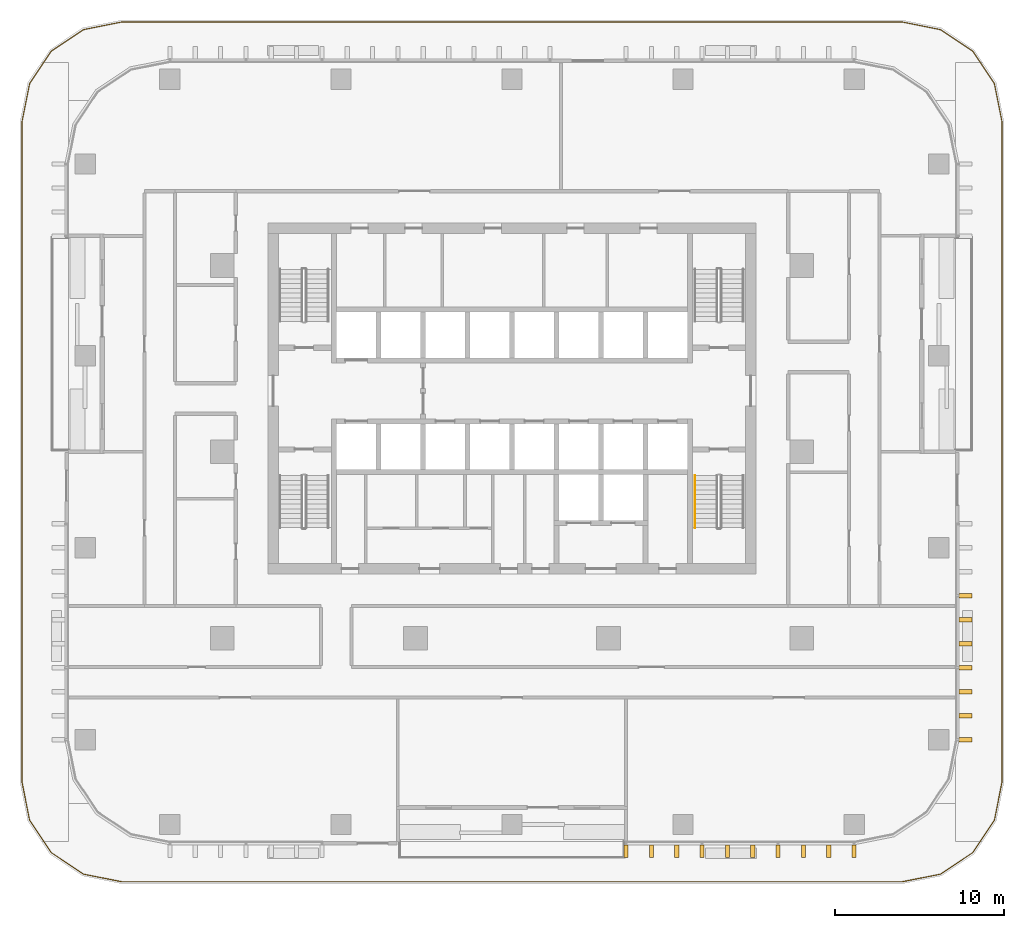
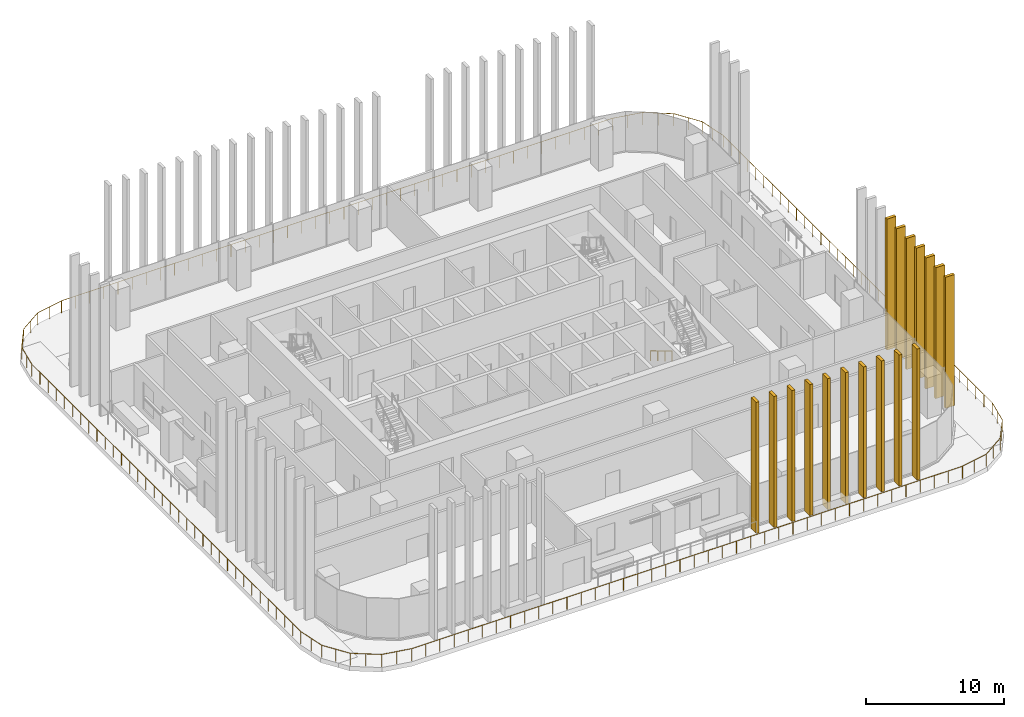
# One storey, part 14 of 16: 17 shading devices, 2 railings.
"""IFC4 building model written with IfcOpenShell, lengths in metres."""

import ifcopenshell
import ifcopenshell.guid

model = None  # the IFC model being written
_history = None  # IfcOwnerHistory: only IFC2X3 demands one
_inside = {}  # id of a spatial element -> (the spatial element, [elements in it])
_under = {}  # id of a project, library or spatial element -> (it, [spatial elements below it])
_declared = {}  # id of a project -> (the project, [libraries it declares])
_typed = {}  # id of a type object -> (the type object, [elements of that type])
_made_of = {}  # id of a material, layer set ... -> (it, [elements and type objects made of it])


def new_model(schema):
    """Start an empty IFC model of exactly this schema.

    Asked for "IFC4X3", IfcOpenShell would pick the latest addendum, in which some entities
    have other attributes; the version numbers below select the first issue.
    IFC2X3 requires an IfcOwnerHistory on every rooted entity: one is made here for all.
    """
    global model, _history
    if schema == "IFC4X3":
        model = ifcopenshell.file(schema_version=(4, 3, 0, 0))
    else:
        model = ifcopenshell.file(schema=schema)
    _inside.clear()
    _under.clear()
    _declared.clear()
    _typed.clear()
    _made_of.clear()
    _history = None
    if model.schema == "IFC2X3":
        org = make("IfcOrganization", Name="unknown")
        user = make(
            "IfcPersonAndOrganization",
            ThePerson=make("IfcPerson", FamilyName="unknown"),
            TheOrganization=org,
        )
        app = make(
            "IfcApplication",
            ApplicationDeveloper=org,
            Version="unknown",
            ApplicationFullName="unknown",
            ApplicationIdentifier="unknown",
        )
        _history = make(
            "IfcOwnerHistory",
            OwningUser=user,
            OwningApplication=app,
            ChangeAction="ADDED",
            CreationDate=0,
        )
    return model


def make(cls, **values):
    """One entity of the class cls with the attributes given. An attribute that is None is left unset."""
    return model.create_entity(
        cls, **{name: value for name, value in values.items() if value is not None}
    )


def rooted(cls, **values):
    """An entity with a GlobalId (a new one), such as an element, a storey or a relation."""
    return make(cls, GlobalId=ifcopenshell.guid.new(), OwnerHistory=_history, **values)


def si_unit(unit_type, name, prefix=None):
    """IfcSIUnit, for example si_unit("LENGTHUNIT", "METRE", prefix="MILLI")."""
    return make("IfcSIUnit", UnitType=unit_type, Prefix=prefix, Name=name)


def assignment(units):
    """IfcUnitAssignment: the units of a project."""
    return None if units is None else make("IfcUnitAssignment", Units=units)


def point(xyz):
    """IfcCartesianPoint."""
    return None if xyz is None else make("IfcCartesianPoint", Coordinates=xyz)


def direction(xyz):
    """IfcDirection."""
    return None if xyz is None else make("IfcDirection", DirectionRatios=xyz)


def frame(location, z_axis=None, x_axis=None):
    """IfcAxis2Placement3D, a coordinate frame: its origin and axes. An axis left out is left unset."""
    return make(
        "IfcAxis2Placement3D",
        Location=point(location),
        Axis=direction(z_axis),
        RefDirection=direction(x_axis),
    )


def frame_2d(location, x_axis=None):
    """IfcAxis2Placement2D, a coordinate frame in the plane: its origin and x axis."""
    return make(
        "IfcAxis2Placement2D", Location=point(location), RefDirection=direction(x_axis)
    )


def origin():
    """The frame at (0, 0, 0) with its axes left unset."""
    return frame((0.0, 0.0, 0.0))


def origin_2d():
    """The frame at (0, 0) in the plane with its x axis left unset."""
    return frame_2d((0.0, 0.0))


def place(relative_to, where):
    """IfcLocalPlacement: puts the frame where relative to a parent placement (None: the world)."""
    return make(
        "IfcLocalPlacement", PlacementRelTo=relative_to, RelativePlacement=where
    )


def context(
    kind, dimensions, precision=None, world=None, true_north=None, identifier=None
):
    """IfcGeometricRepresentationContext, for example the 3D "Model" context."""
    return make(
        "IfcGeometricRepresentationContext",
        ContextIdentifier=identifier,
        ContextType=kind,
        CoordinateSpaceDimension=dimensions,
        Precision=precision,
        WorldCoordinateSystem=world,
        TrueNorth=true_north,
    )


def subcontext(parent, identifier, kind, view, scale=None):
    """IfcGeometricRepresentationSubContext, for example "Body" below "Model"."""
    return make(
        "IfcGeometricRepresentationSubContext",
        ContextIdentifier=identifier,
        ContextType=kind,
        ParentContext=parent,
        TargetScale=scale,
        TargetView=view,
    )


def project(units=None, contexts=None):
    """IfcProject with its units and contexts."""
    return rooted(
        "IfcProject",
        Name="project",
        RepresentationContexts=contexts,
        UnitsInContext=assignment(units),
    )


def spatial(cls, under=None, at=None, **own):
    """A site, building, storey or space (cls), placed at a placement, below another one or the project."""
    s = rooted(cls, ObjectPlacement=at, **own)
    if under is not None:
        _under.setdefault(under.id(), (under, []))[1].append(s)
    return s


def profile(cls, at=None, kind="AREA", **sizes):
    """A parametric profile (cls). Its sizes go by their IFC names, for example OverallWidth=200.0."""
    return make(cls, ProfileType=kind, Position=at, **sizes)


def rectangle(**sizes):
    """IfcRectangleProfileDef."""
    return profile("IfcRectangleProfileDef", **sizes)


def circle(**sizes):
    """IfcCircleProfileDef."""
    return profile("IfcCircleProfileDef", **sizes)


def extrude(swept, where, along, depth):
    """IfcExtrudedAreaSolid: the profile swept, set in the frame where, extruded along a direction by depth."""
    return make(
        "IfcExtrudedAreaSolid",
        SweptArea=swept,
        Position=where,
        ExtrudedDirection=direction(along),
        Depth=depth,
    )


def shape(context_of_items, identifier, shape_type, items):
    """IfcShapeRepresentation: the items that make up one representation, for example the "Body"."""
    return make(
        "IfcShapeRepresentation",
        ContextOfItems=context_of_items,
        RepresentationIdentifier=identifier,
        RepresentationType=shape_type,
        Items=items,
    )


def material(Name=None, Category=None):
    """IfcMaterial."""
    return make("IfcMaterial", Name=Name, Category=Category)


def made_of(thing, what):
    """Note that an element or type object is made of a material, layer set ...; save() writes the relation."""
    if what is not None:
        _made_of.setdefault(what.id(), (what, []))[1].append(thing)
    return thing


def type_object(cls, material=None, **own):
    """A type object (cls), such as IfcWallType, which elements share."""
    return made_of(rooted(cls, **own), material)


def element(
    cls,
    number,
    at=None,
    inside=None,
    cuts=None,
    type_object=None,
    material=None,
    context=None,
    identifier="Body",
    shape_type=None,
    held_by="IfcProductDefinitionShape",
    body=None,
    shapes=None,
    **own,
):
    """One element of the class cls, such as IfcWall. Its Tag is "e" and its number.

    at: its placement. inside: the storey or other place that contains it. cuts: it is an
    opening in that element (IfcRelVoidsElement). A single representation is given by context,
    identifier, shape_type and body (its items); several are given by shapes. held_by: the class
    of the entity that holds the representations. save() writes the other relations.
    """
    e = rooted(cls, Tag="e%d" % number, ObjectPlacement=at, **own)
    if body is not None:
        shapes = [shape(context, identifier, shape_type, body)]
    if shapes is not None:
        e.Representation = make(held_by, Representations=shapes)
    if inside is not None:
        _inside.setdefault(inside.id(), (inside, []))[1].append(e)
    if cuts is not None:
        rooted(
            "IfcRelVoidsElement", RelatingBuildingElement=cuts, RelatedOpeningElement=e
        )
    if type_object is not None:
        _typed.setdefault(type_object.id(), (type_object, []))[1].append(e)
    return made_of(e, material)


def aggregate(whole, parts):
    """IfcRelAggregates: a whole, such as a stair, and the parts it consists of."""
    return rooted("IfcRelAggregates", RelatingObject=whole, RelatedObjects=parts)


def save(model, path):
    """Write the relations noted so far, then the file.

    IfcRelAggregates (storeys below a building ...), IfcRelContainedInSpatialStructure (elements
    in a storey), IfcRelDefinesByType, IfcRelAssociatesMaterial and IfcRelDeclares: one each for
    every whole, place, type object, material and project.
    """
    for whole, parts in _under.values():
        aggregate(whole, parts)
    for where, things in _inside.values():
        rooted(
            "IfcRelContainedInSpatialStructure",
            RelatedElements=things,
            RelatingStructure=where,
        )
    for kind, things in _typed.values():
        rooted("IfcRelDefinesByType", RelatedObjects=things, RelatingType=kind)
    for what, things in _made_of.values():
        rooted("IfcRelAssociatesMaterial", RelatedObjects=things, RelatingMaterial=what)
    for by, libraries in _declared.values():
        rooted("IfcRelDeclares", RelatingContext=by, RelatedDefinitions=libraries)
    model.write(path)


model = new_model("IFC4")

# Units and contexts
model_context = context("Model", 3, precision=1e-05, world=origin(), true_north=direction((0.0, 1.0)))
body_context = subcontext(model_context, "Body", "Model", "MODEL_VIEW")
ifc_project = project(units=[si_unit("LENGTHUNIT", "METRE"), si_unit("AREAUNIT", "SQUARE_METRE"), si_unit("VOLUMEUNIT", "CUBIC_METRE"), si_unit("PLANEANGLEUNIT", "RADIAN"), si_unit("MASSUNIT", "GRAM", prefix="KILO")], contexts=[model_context])

# Site, building, storey
site_placement = place(None, origin())
site = spatial("IfcSite", under=ifc_project, at=site_placement, CompositionType="ELEMENT")
building_placement = place(site_placement, origin())
building = spatial("IfcBuilding", under=site, at=building_placement, Name="Mopane Tessera Tower", CompositionType="ELEMENT")
storey_placement = place(building_placement, frame((0.0, 0.0, 157.0)))
storey = spatial("IfcBuildingStorey", under=building, at=storey_placement, Name="L31", CompositionType="ELEMENT", Elevation=157.0)

# Shading devices
ifc_material_1 = material(Name="Glazed ceramic tile")
shading_device_type = type_object("IfcShadingDeviceType", Name="Ceramic tile fin 750 x 250 mm", PredefinedType="USERDEFINED", material=ifc_material_1)
for number, where, z_axis, x_axis, name in (
    (1, (6.7333984375, -23.574951171875, 0.0), (0.0, 0.0, 1.0), (1.0, 0.0, 0.0), "e:fin:L31:S:6:0"),
    (2, (8.229736328125, -23.574951171875, 0.0), (0.0, 0.0, 1.0), (1.0, 0.0, 0.0), "e:fin:L31:S:6:1"),
    (3, (9.725830078125, -23.574951171875, 0.0), (0.0, 0.0, 1.0), (1.0, 0.0, 0.0), "e:fin:L31:S:6:2"),
    (4, (11.22216796875, -23.574951171875, 0.0), (0.0, 0.0, 1.0), (1.0, 0.0, 0.0), "e:fin:L31:S:7:0"),
    (5, (12.718505859375, -23.574951171875, 0.0), (0.0, 0.0, 1.0), (1.0, 0.0, 0.0), "e:fin:L31:S:7:1"),
    (6, (14.21484375, -23.574951171875, 0.0), (0.0, 0.0, 1.0), (1.0, 0.0, 0.0), "e:fin:L31:S:7:2"),
    (7, (15.711181640625, -23.574951171875, 0.0), (0.0, 0.0, 1.0), (1.0, 0.0, 0.0), "e:fin:L31:S:8:0"),
    (8, (17.20751953125, -23.574951171875, 0.0), (0.0, 0.0, 1.0), (1.0, 0.0, 0.0), "e:fin:L31:S:8:1"),
    (9, (18.70361328125, -23.574951171875, 0.0), (0.0, 0.0, 1.0), (1.0, 0.0, 0.0), "e:fin:L31:S:8:2"),
    (10, (20.199951171875, -23.574951171875, 0.0), (0.0, 0.0, 1.0), (1.0, 0.0, 0.0), "e:fin:L31:S:8:3"),
    (11, (26.77490234375, -17.0, 0.0), (0.0, 0.0, 1.0), (0.0, 1.0, 0.0), "e:fin:L31:E:0:0"),
    (12, (26.77490234375, -15.583251953125, 0.0), (0.0, 0.0, 1.0), (0.0, 1.0, 0.0), "e:fin:L31:E:0:1"),
    (13, (26.77490234375, -14.166748046875, 0.0), (0.0, 0.0, 1.0), (0.0, 1.0, 0.0), "e:fin:L31:E:0:2"),
    (14, (26.77490234375, -12.75, 0.0), (0.0, 0.0, 1.0), (0.0, 1.0, 0.0), "e:fin:L31:E:1:0"),
    (15, (26.77490234375, -11.333251953125, 0.0), (0.0, 0.0, 1.0), (0.0, 1.0, 0.0), "e:fin:L31:E:1:1"),
    (16, (26.77490234375, -9.916748046875, 0.0), (0.0, 0.0, 1.0), (0.0, 1.0, 0.0), "e:fin:L31:E:1:2"),
    (17, (26.77490234375, -8.5, 0.0), (0.0, 0.0, 1.0), (0.0, 1.0, 0.0), "e:fin:L31:E:2:0"),
):
    element("IfcShadingDevice", number, at=place(storey_placement, frame(where, z_axis=z_axis, x_axis=x_axis)), inside=storey, type_object=shading_device_type, Name=name, ObjectType="FIN", PredefinedType="USERDEFINED", context=body_context, shape_type="SweptSolid", body=[
        extrude(rectangle(XDim=0.25, YDim=0.75, at=origin_2d()), origin(), (0.0, 0.0, 1.0), 11.60009765625),
    ])

# Railings
ifc_material_2 = material(Name="Powder-coated steel balustrade", Category="steel")
railing_type_1 = type_object("IfcRailingType", Name="Escape stair handrail 900 mm", PredefinedType="HANDRAIL", material=ifc_material_2)
railing_1_placement = place(storey_placement, frame((10.800048828125, -1.39990234375, 0.166748046875)))
element("IfcRailing", 18, at=railing_1_placement, inside=storey, type_object=railing_type_1, Name="L31 ST3 stair handrail 1", PredefinedType="HANDRAIL", context=body_context, shape_type="SweptSolid", body=[
    extrude(circle(Radius=0.02392578125, at=origin_2d()), frame((0.0, 0.0, 0.8759765625), z_axis=(0.0, -0.859308565015, 0.511457515432), x_axis=(1.0, 0.0, 0.0)), (0.0, 0.0, 1.0), 3.58447265625),
    extrude(circle(Radius=0.02099609375, at=origin_2d()), origin(), (0.0, 0.0, 1.0), 0.851806640625),
    extrude(circle(Radius=0.02099609375, at=origin_2d()), frame((0.0, -1.026611328125, 0.611083984375)), (0.0, 0.0, 1.0), 0.851806640625),
    extrude(circle(Radius=0.02099609375, at=origin_2d()), frame((0.0, -2.053466796875, 1.22216796875)), (0.0, 0.0, 1.0), 0.851806640625),
    extrude(circle(Radius=0.02099609375, at=origin_2d()), frame((0.0, -3.080078125, 1.833251953125)), (0.0, 0.0, 1.0), 0.851806640625),
])
ifc_material_3 = material(Name="Stainless steel S316", Category="steel")
railing_type_2 = type_object("IfcRailingType", Name="Terrace guard 1100", PredefinedType="GUARDRAIL", material=ifc_material_3)
railing_2_placement = place(storey_placement, frame((-23.050048828125, -25.3798828125, 0.0)))
element("IfcRailing", 19, at=railing_2_placement, inside=storey, type_object=railing_type_2, Name="e:sg:L31", PredefinedType="GUARDRAIL", context=body_context, shape_type="SweptSolid", body=[
    extrude(circle(Radius=0.02392578125, at=origin_2d()), frame((0.0, 0.0, 1.076171875), z_axis=(1.0, 0.0, 0.0), x_axis=(0.0, 1.0, 0.0)), (0.0, 0.0, 1.0), 46.10009765625),
    extrude(circle(Radius=0.02392578125, at=origin_2d()), frame((46.10009765625, 0.0, 1.076171875), z_axis=(0.980792920903, 0.195051906696, 0.0), x_axis=(-0.195051906696, 0.980792920903, 0.0)), (0.0, 0.0, 1.0), 2.294189453125),
    extrude(circle(Radius=0.02392578125, at=origin_2d()), frame((48.350341796875, 0.447509765625, 1.076171875), z_axis=(0.831444034045, 0.555608511679, 0.0), x_axis=(-0.555608511679, 0.831444034045, 0.0)), (0.0, 0.0, 1.0), 2.294189453125),
    extrude(circle(Radius=0.02392578125, at=origin_2d()), frame((50.2578125, 1.72216796875, 1.076171875), z_axis=(0.555608511679, 0.831444034045, 0.0), x_axis=(-0.831444034045, 0.555608511679, 0.0)), (0.0, 0.0, 1.0), 2.294189453125),
    extrude(circle(Radius=0.02392578125, at=origin_2d()), frame((51.532470703125, 3.629638671875, 1.076171875), z_axis=(0.195051906696, 0.980792920903, 0.0), x_axis=(-0.980792920903, 0.195051906696, 0.0)), (0.0, 0.0, 1.0), 2.294189453125),
    extrude(circle(Radius=0.02392578125, at=origin_2d()), frame((51.97998046875, 5.8798828125, 1.076171875), z_axis=(0.0, 1.0, 0.0), x_axis=(-1.0, 0.0, 0.0)), (0.0, 0.0, 1.0), 39.0),
    extrude(circle(Radius=0.02392578125, at=origin_2d()), frame((51.97998046875, 44.8798828125, 1.076171875), z_axis=(-0.195051906696, 0.980792920903, 0.0), x_axis=(-0.980792920903, -0.195051906696, 0.0)), (0.0, 0.0, 1.0), 2.294189453125),
    extrude(circle(Radius=0.02392578125, at=origin_2d()), frame((51.532470703125, 47.130126953125, 1.076171875), z_axis=(-0.555608511679, 0.831444034045, 0.0), x_axis=(-0.831444034045, -0.555608511679, 0.0)), (0.0, 0.0, 1.0), 2.294189453125),
    extrude(circle(Radius=0.02392578125, at=origin_2d()), frame((50.2578125, 49.03759765625, 1.076171875), z_axis=(-0.831444034045, 0.555608511679, 0.0), x_axis=(-0.555608511679, -0.831444034045, 0.0)), (0.0, 0.0, 1.0), 2.294189453125),
    extrude(circle(Radius=0.02392578125, at=origin_2d()), frame((48.350341796875, 50.312255859375, 1.076171875), z_axis=(-0.980792920903, 0.195051906696, 0.0), x_axis=(-0.195051906696, -0.980792920903, 0.0)), (0.0, 0.0, 1.0), 2.294189453125),
    extrude(circle(Radius=0.02392578125, at=origin_2d()), frame((46.10009765625, 50.759765625, 1.076171875), z_axis=(-1.0, 0.0, 0.0), x_axis=(0.0, -1.0, 0.0)), (0.0, 0.0, 1.0), 46.10009765625),
    extrude(circle(Radius=0.02392578125, at=origin_2d()), frame((0.0, 50.759765625, 1.076171875), z_axis=(-0.980792920903, -0.195051906696, 0.0), x_axis=(0.195051906696, -0.980792920903, 0.0)), (0.0, 0.0, 1.0), 2.294189453125),
    extrude(circle(Radius=0.02392578125, at=origin_2d()), frame((-2.250244140625, 50.312255859375, 1.076171875), z_axis=(-0.831444034045, -0.555608511679, 0.0), x_axis=(0.555608511679, -0.831444034045, 0.0)), (0.0, 0.0, 1.0), 2.294189453125),
    extrude(circle(Radius=0.02392578125, at=origin_2d()), frame((-4.15771484375, 49.03759765625, 1.076171875), z_axis=(-0.555608511679, -0.831444034045, 0.0), x_axis=(0.831444034045, -0.555608511679, 0.0)), (0.0, 0.0, 1.0), 2.294189453125),
    extrude(circle(Radius=0.02392578125, at=origin_2d()), frame((-5.432373046875, 47.130126953125, 1.076171875), z_axis=(-0.195051906696, -0.980792920903, 0.0), x_axis=(0.980792920903, -0.195051906696, 0.0)), (0.0, 0.0, 1.0), 2.294189453125),
    extrude(circle(Radius=0.02392578125, at=origin_2d()), frame((-5.8798828125, 44.8798828125, 1.076171875), z_axis=(0.0, -1.0, 0.0), x_axis=(1.0, 0.0, 0.0)), (0.0, 0.0, 1.0), 39.0),
    extrude(circle(Radius=0.02392578125, at=origin_2d()), frame((-5.8798828125, 5.8798828125, 1.076171875), z_axis=(0.195051906696, -0.980792920903, 0.0), x_axis=(0.980792920903, 0.195051906696, 0.0)), (0.0, 0.0, 1.0), 2.294189453125),
    extrude(circle(Radius=0.02392578125, at=origin_2d()), frame((-5.432373046875, 3.629638671875, 1.076171875), z_axis=(0.555608511679, -0.831444034045, 0.0), x_axis=(0.831444034045, 0.555608511679, 0.0)), (0.0, 0.0, 1.0), 2.294189453125),
    extrude(circle(Radius=0.02392578125, at=origin_2d()), frame((-4.15771484375, 1.72216796875, 1.076171875), z_axis=(0.831444034045, -0.555608511679, 0.0), x_axis=(0.555608511679, 0.831444034045, 0.0)), (0.0, 0.0, 1.0), 2.294189453125),
    extrude(circle(Radius=0.02392578125, at=origin_2d()), frame((-2.250244140625, 0.447509765625, 1.076171875), z_axis=(0.980792920903, -0.195051906696, 0.0), x_axis=(0.195051906696, 0.980792920903, 0.0)), (0.0, 0.0, 1.0), 2.294189453125),
    extrude(circle(Radius=0.02099609375, at=origin_2d()), origin(), (0.0, 0.0, 1.0), 1.052001953125),
    extrude(circle(Radius=0.02099609375, at=origin_2d()), frame((1.18212890625, 0.0, 0.0)), (0.0, 0.0, 1.0), 1.052001953125),
    extrude(circle(Radius=0.02099609375, at=origin_2d()), frame((2.364013671875, 0.0, 0.0)), (0.0, 0.0, 1.0), 1.052001953125),
    extrude(circle(Radius=0.02099609375, at=origin_2d()), frame((3.546142578125, 0.0, 0.0)), (0.0, 0.0, 1.0), 1.052001953125),
    extrude(circle(Radius=0.02099609375, at=origin_2d()), frame((4.728271484375, 0.0, 0.0)), (0.0, 0.0, 1.0), 1.052001953125),
    extrude(circle(Radius=0.02099609375, at=origin_2d()), frame((5.91015625, 0.0, 0.0)), (0.0, 0.0, 1.0), 1.052001953125),
    extrude(circle(Radius=0.02099609375, at=origin_2d()), frame((7.09228515625, 0.0, 0.0)), (0.0, 0.0, 1.0), 1.052001953125),
    extrude(circle(Radius=0.02099609375, at=origin_2d()), frame((8.2744140625, 0.0, 0.0)), (0.0, 0.0, 1.0), 1.052001953125),
    extrude(circle(Radius=0.02099609375, at=origin_2d()), frame((9.45654296875, 0.0, 0.0)), (0.0, 0.0, 1.0), 1.052001953125),
    extrude(circle(Radius=0.02099609375, at=origin_2d()), frame((10.638427734375, 0.0, 0.0)), (0.0, 0.0, 1.0), 1.052001953125),
    extrude(circle(Radius=0.02099609375, at=origin_2d()), frame((11.820556640625, 0.0, 0.0)), (0.0, 0.0, 1.0), 1.052001953125),
    extrude(circle(Radius=0.02099609375, at=origin_2d()), frame((13.002685546875, 0.0, 0.0)), (0.0, 0.0, 1.0), 1.052001953125),
    extrude(circle(Radius=0.02099609375, at=origin_2d()), frame((14.1845703125, 0.0, 0.0)), (0.0, 0.0, 1.0), 1.052001953125),
    extrude(circle(Radius=0.02099609375, at=origin_2d()), frame((15.36669921875, 0.0, 0.0)), (0.0, 0.0, 1.0), 1.052001953125),
    extrude(circle(Radius=0.02099609375, at=origin_2d()), frame((16.548828125, 0.0, 0.0)), (0.0, 0.0, 1.0), 1.052001953125),
    extrude(circle(Radius=0.02099609375, at=origin_2d()), frame((17.730712890625, 0.0, 0.0)), (0.0, 0.0, 1.0), 1.052001953125),
    extrude(circle(Radius=0.02099609375, at=origin_2d()), frame((18.912841796875, 0.0, 0.0)), (0.0, 0.0, 1.0), 1.052001953125),
    extrude(circle(Radius=0.02099609375, at=origin_2d()), frame((20.094970703125, 0.0, 0.0)), (0.0, 0.0, 1.0), 1.052001953125),
    extrude(circle(Radius=0.02099609375, at=origin_2d()), frame((21.27685546875, 0.0, 0.0)), (0.0, 0.0, 1.0), 1.052001953125),
    extrude(circle(Radius=0.02099609375, at=origin_2d()), frame((22.458984375, 0.0, 0.0)), (0.0, 0.0, 1.0), 1.052001953125),
    extrude(circle(Radius=0.02099609375, at=origin_2d()), frame((23.64111328125, 0.0, 0.0)), (0.0, 0.0, 1.0), 1.052001953125),
    extrude(circle(Radius=0.02099609375, at=origin_2d()), frame((24.8232421875, 0.0, 0.0)), (0.0, 0.0, 1.0), 1.052001953125),
    extrude(circle(Radius=0.02099609375, at=origin_2d()), frame((26.005126953125, 0.0, 0.0)), (0.0, 0.0, 1.0), 1.052001953125),
    extrude(circle(Radius=0.02099609375, at=origin_2d()), frame((27.187255859375, 0.0, 0.0)), (0.0, 0.0, 1.0), 1.052001953125),
    extrude(circle(Radius=0.02099609375, at=origin_2d()), frame((28.369384765625, 0.0, 0.0)), (0.0, 0.0, 1.0), 1.052001953125),
    extrude(circle(Radius=0.02099609375, at=origin_2d()), frame((29.55126953125, 0.0, 0.0)), (0.0, 0.0, 1.0), 1.052001953125),
    extrude(circle(Radius=0.02099609375, at=origin_2d()), frame((30.7333984375, 0.0, 0.0)), (0.0, 0.0, 1.0), 1.052001953125),
    extrude(circle(Radius=0.02099609375, at=origin_2d()), frame((31.91552734375, 0.0, 0.0)), (0.0, 0.0, 1.0), 1.052001953125),
    extrude(circle(Radius=0.02099609375, at=origin_2d()), frame((33.097412109375, 0.0, 0.0)), (0.0, 0.0, 1.0), 1.052001953125),
    extrude(circle(Radius=0.02099609375, at=origin_2d()), frame((34.279541015625, 0.0, 0.0)), (0.0, 0.0, 1.0), 1.052001953125),
    extrude(circle(Radius=0.02099609375, at=origin_2d()), frame((35.461669921875, 0.0, 0.0)), (0.0, 0.0, 1.0), 1.052001953125),
    extrude(circle(Radius=0.02099609375, at=origin_2d()), frame((36.6435546875, 0.0, 0.0)), (0.0, 0.0, 1.0), 1.052001953125),
    extrude(circle(Radius=0.02099609375, at=origin_2d()), frame((37.82568359375, 0.0, 0.0)), (0.0, 0.0, 1.0), 1.052001953125),
    extrude(circle(Radius=0.02099609375, at=origin_2d()), frame((39.0078125, 0.0, 0.0)), (0.0, 0.0, 1.0), 1.052001953125),
    extrude(circle(Radius=0.02099609375, at=origin_2d()), frame((40.18994140625, 0.0, 0.0)), (0.0, 0.0, 1.0), 1.052001953125),
    extrude(circle(Radius=0.02099609375, at=origin_2d()), frame((41.371826171875, 0.0, 0.0)), (0.0, 0.0, 1.0), 1.052001953125),
    extrude(circle(Radius=0.02099609375, at=origin_2d()), frame((42.553955078125, 0.0, 0.0)), (0.0, 0.0, 1.0), 1.052001953125),
    extrude(circle(Radius=0.02099609375, at=origin_2d()), frame((43.736083984375, 0.0, 0.0)), (0.0, 0.0, 1.0), 1.052001953125),
    extrude(circle(Radius=0.02099609375, at=origin_2d()), frame((44.91796875, 0.0, 0.0)), (0.0, 0.0, 1.0), 1.052001953125),
    extrude(circle(Radius=0.02099609375, at=origin_2d()), frame((46.10009765625, 0.0, 0.0)), (0.0, 0.0, 1.0), 1.052001953125),
    extrude(circle(Radius=0.02099609375, at=origin_2d()), frame((47.22509765625, 0.2236328125, 0.0)), (0.0, 0.0, 1.0), 1.052001953125),
    extrude(circle(Radius=0.02099609375, at=origin_2d()), frame((48.350341796875, 0.447509765625, 0.0)), (0.0, 0.0, 1.0), 1.052001953125),
    extrude(circle(Radius=0.02099609375, at=origin_2d()), frame((49.30419921875, 1.0849609375, 0.0)), (0.0, 0.0, 1.0), 1.052001953125),
    extrude(circle(Radius=0.02099609375, at=origin_2d()), frame((50.2578125, 1.72216796875, 0.0)), (0.0, 0.0, 1.0), 1.052001953125),
    extrude(circle(Radius=0.02099609375, at=origin_2d()), frame((50.89501953125, 2.67578125, 0.0)), (0.0, 0.0, 1.0), 1.052001953125),
    extrude(circle(Radius=0.02099609375, at=origin_2d()), frame((51.532470703125, 3.629638671875, 0.0)), (0.0, 0.0, 1.0), 1.052001953125),
    extrude(circle(Radius=0.02099609375, at=origin_2d()), frame((51.75634765625, 4.7548828125, 0.0)), (0.0, 0.0, 1.0), 1.052001953125),
    extrude(circle(Radius=0.02099609375, at=origin_2d()), frame((51.97998046875, 5.8798828125, 0.0)), (0.0, 0.0, 1.0), 1.052001953125),
    extrude(circle(Radius=0.02099609375, at=origin_2d()), frame((51.97998046875, 7.061767578125, 0.0)), (0.0, 0.0, 1.0), 1.052001953125),
    extrude(circle(Radius=0.02099609375, at=origin_2d()), frame((51.97998046875, 8.243408203125, 0.0)), (0.0, 0.0, 1.0), 1.052001953125),
    extrude(circle(Radius=0.02099609375, at=origin_2d()), frame((51.97998046875, 9.42529296875, 0.0)), (0.0, 0.0, 1.0), 1.052001953125),
    extrude(circle(Radius=0.02099609375, at=origin_2d()), frame((51.97998046875, 10.607177734375, 0.0)), (0.0, 0.0, 1.0), 1.052001953125),
    extrude(circle(Radius=0.02099609375, at=origin_2d()), frame((51.97998046875, 11.7890625, 0.0)), (0.0, 0.0, 1.0), 1.052001953125),
    extrude(circle(Radius=0.02099609375, at=origin_2d()), frame((51.97998046875, 12.970703125, 0.0)), (0.0, 0.0, 1.0), 1.052001953125),
    extrude(circle(Radius=0.02099609375, at=origin_2d()), frame((51.97998046875, 14.152587890625, 0.0)), (0.0, 0.0, 1.0), 1.052001953125),
    extrude(circle(Radius=0.02099609375, at=origin_2d()), frame((51.97998046875, 15.33447265625, 0.0)), (0.0, 0.0, 1.0), 1.052001953125),
    extrude(circle(Radius=0.02099609375, at=origin_2d()), frame((51.97998046875, 16.516357421875, 0.0)), (0.0, 0.0, 1.0), 1.052001953125),
    extrude(circle(Radius=0.02099609375, at=origin_2d()), frame((51.97998046875, 17.697998046875, 0.0)), (0.0, 0.0, 1.0), 1.052001953125),
    extrude(circle(Radius=0.02099609375, at=origin_2d()), frame((51.97998046875, 18.8798828125, 0.0)), (0.0, 0.0, 1.0), 1.052001953125),
    extrude(circle(Radius=0.02099609375, at=origin_2d()), frame((51.97998046875, 20.061767578125, 0.0)), (0.0, 0.0, 1.0), 1.052001953125),
    extrude(circle(Radius=0.02099609375, at=origin_2d()), frame((51.97998046875, 21.243408203125, 0.0)), (0.0, 0.0, 1.0), 1.052001953125),
    extrude(circle(Radius=0.02099609375, at=origin_2d()), frame((51.97998046875, 22.42529296875, 0.0)), (0.0, 0.0, 1.0), 1.052001953125),
    extrude(circle(Radius=0.02099609375, at=origin_2d()), frame((51.97998046875, 23.607177734375, 0.0)), (0.0, 0.0, 1.0), 1.052001953125),
    extrude(circle(Radius=0.02099609375, at=origin_2d()), frame((51.97998046875, 24.7890625, 0.0)), (0.0, 0.0, 1.0), 1.052001953125),
    extrude(circle(Radius=0.02099609375, at=origin_2d()), frame((51.97998046875, 25.970703125, 0.0)), (0.0, 0.0, 1.0), 1.052001953125),
    extrude(circle(Radius=0.02099609375, at=origin_2d()), frame((51.97998046875, 27.152587890625, 0.0)), (0.0, 0.0, 1.0), 1.052001953125),
    extrude(circle(Radius=0.02099609375, at=origin_2d()), frame((51.97998046875, 28.33447265625, 0.0)), (0.0, 0.0, 1.0), 1.052001953125),
    extrude(circle(Radius=0.02099609375, at=origin_2d()), frame((51.97998046875, 29.516357421875, 0.0)), (0.0, 0.0, 1.0), 1.052001953125),
    extrude(circle(Radius=0.02099609375, at=origin_2d()), frame((51.97998046875, 30.697998046875, 0.0)), (0.0, 0.0, 1.0), 1.052001953125),
    extrude(circle(Radius=0.02099609375, at=origin_2d()), frame((51.97998046875, 31.8798828125, 0.0)), (0.0, 0.0, 1.0), 1.052001953125),
    extrude(circle(Radius=0.02099609375, at=origin_2d()), frame((51.97998046875, 33.061767578125, 0.0)), (0.0, 0.0, 1.0), 1.052001953125),
    extrude(circle(Radius=0.02099609375, at=origin_2d()), frame((51.97998046875, 34.243408203125, 0.0)), (0.0, 0.0, 1.0), 1.052001953125),
    extrude(circle(Radius=0.02099609375, at=origin_2d()), frame((51.97998046875, 35.42529296875, 0.0)), (0.0, 0.0, 1.0), 1.052001953125),
    extrude(circle(Radius=0.02099609375, at=origin_2d()), frame((51.97998046875, 36.607177734375, 0.0)), (0.0, 0.0, 1.0), 1.052001953125),
    extrude(circle(Radius=0.02099609375, at=origin_2d()), frame((51.97998046875, 37.7890625, 0.0)), (0.0, 0.0, 1.0), 1.052001953125),
    extrude(circle(Radius=0.02099609375, at=origin_2d()), frame((51.97998046875, 38.970703125, 0.0)), (0.0, 0.0, 1.0), 1.052001953125),
    extrude(circle(Radius=0.02099609375, at=origin_2d()), frame((51.97998046875, 40.152587890625, 0.0)), (0.0, 0.0, 1.0), 1.052001953125),
    extrude(circle(Radius=0.02099609375, at=origin_2d()), frame((51.97998046875, 41.33447265625, 0.0)), (0.0, 0.0, 1.0), 1.052001953125),
    extrude(circle(Radius=0.02099609375, at=origin_2d()), frame((51.97998046875, 42.516357421875, 0.0)), (0.0, 0.0, 1.0), 1.052001953125),
    extrude(circle(Radius=0.02099609375, at=origin_2d()), frame((51.97998046875, 43.697998046875, 0.0)), (0.0, 0.0, 1.0), 1.052001953125),
    extrude(circle(Radius=0.02099609375, at=origin_2d()), frame((51.97998046875, 44.8798828125, 0.0)), (0.0, 0.0, 1.0), 1.052001953125),
    extrude(circle(Radius=0.02099609375, at=origin_2d()), frame((51.75634765625, 46.0048828125, 0.0)), (0.0, 0.0, 1.0), 1.052001953125),
    extrude(circle(Radius=0.02099609375, at=origin_2d()), frame((51.532470703125, 47.130126953125, 0.0)), (0.0, 0.0, 1.0), 1.052001953125),
    extrude(circle(Radius=0.02099609375, at=origin_2d()), frame((50.89501953125, 48.083984375, 0.0)), (0.0, 0.0, 1.0), 1.052001953125),
    extrude(circle(Radius=0.02099609375, at=origin_2d()), frame((50.2578125, 49.03759765625, 0.0)), (0.0, 0.0, 1.0), 1.052001953125),
    extrude(circle(Radius=0.02099609375, at=origin_2d()), frame((49.30419921875, 49.6748046875, 0.0)), (0.0, 0.0, 1.0), 1.052001953125),
    extrude(circle(Radius=0.02099609375, at=origin_2d()), frame((48.350341796875, 50.312255859375, 0.0)), (0.0, 0.0, 1.0), 1.052001953125),
    extrude(circle(Radius=0.02099609375, at=origin_2d()), frame((47.22509765625, 50.5361328125, 0.0)), (0.0, 0.0, 1.0), 1.052001953125),
    extrude(circle(Radius=0.02099609375, at=origin_2d()), frame((46.10009765625, 50.759765625, 0.0)), (0.0, 0.0, 1.0), 1.052001953125),
    extrude(circle(Radius=0.02099609375, at=origin_2d()), frame((44.91796875, 50.759765625, 0.0)), (0.0, 0.0, 1.0), 1.052001953125),
    extrude(circle(Radius=0.02099609375, at=origin_2d()), frame((43.736083984375, 50.759765625, 0.0)), (0.0, 0.0, 1.0), 1.052001953125),
    extrude(circle(Radius=0.02099609375, at=origin_2d()), frame((42.553955078125, 50.759765625, 0.0)), (0.0, 0.0, 1.0), 1.052001953125),
    extrude(circle(Radius=0.02099609375, at=origin_2d()), frame((41.371826171875, 50.759765625, 0.0)), (0.0, 0.0, 1.0), 1.052001953125),
    extrude(circle(Radius=0.02099609375, at=origin_2d()), frame((40.18994140625, 50.759765625, 0.0)), (0.0, 0.0, 1.0), 1.052001953125),
    extrude(circle(Radius=0.02099609375, at=origin_2d()), frame((39.0078125, 50.759765625, 0.0)), (0.0, 0.0, 1.0), 1.052001953125),
    extrude(circle(Radius=0.02099609375, at=origin_2d()), frame((37.82568359375, 50.759765625, 0.0)), (0.0, 0.0, 1.0), 1.052001953125),
    extrude(circle(Radius=0.02099609375, at=origin_2d()), frame((36.6435546875, 50.759765625, 0.0)), (0.0, 0.0, 1.0), 1.052001953125),
    extrude(circle(Radius=0.02099609375, at=origin_2d()), frame((35.461669921875, 50.759765625, 0.0)), (0.0, 0.0, 1.0), 1.052001953125),
    extrude(circle(Radius=0.02099609375, at=origin_2d()), frame((34.279541015625, 50.759765625, 0.0)), (0.0, 0.0, 1.0), 1.052001953125),
    extrude(circle(Radius=0.02099609375, at=origin_2d()), frame((33.097412109375, 50.759765625, 0.0)), (0.0, 0.0, 1.0), 1.052001953125),
    extrude(circle(Radius=0.02099609375, at=origin_2d()), frame((31.91552734375, 50.759765625, 0.0)), (0.0, 0.0, 1.0), 1.052001953125),
    extrude(circle(Radius=0.02099609375, at=origin_2d()), frame((30.7333984375, 50.759765625, 0.0)), (0.0, 0.0, 1.0), 1.052001953125),
    extrude(circle(Radius=0.02099609375, at=origin_2d()), frame((29.55126953125, 50.759765625, 0.0)), (0.0, 0.0, 1.0), 1.052001953125),
    extrude(circle(Radius=0.02099609375, at=origin_2d()), frame((28.369384765625, 50.759765625, 0.0)), (0.0, 0.0, 1.0), 1.052001953125),
    extrude(circle(Radius=0.02099609375, at=origin_2d()), frame((27.187255859375, 50.759765625, 0.0)), (0.0, 0.0, 1.0), 1.052001953125),
    extrude(circle(Radius=0.02099609375, at=origin_2d()), frame((26.005126953125, 50.759765625, 0.0)), (0.0, 0.0, 1.0), 1.052001953125),
    extrude(circle(Radius=0.02099609375, at=origin_2d()), frame((24.8232421875, 50.759765625, 0.0)), (0.0, 0.0, 1.0), 1.052001953125),
    extrude(circle(Radius=0.02099609375, at=origin_2d()), frame((23.64111328125, 50.759765625, 0.0)), (0.0, 0.0, 1.0), 1.052001953125),
    extrude(circle(Radius=0.02099609375, at=origin_2d()), frame((22.458984375, 50.759765625, 0.0)), (0.0, 0.0, 1.0), 1.052001953125),
    extrude(circle(Radius=0.02099609375, at=origin_2d()), frame((21.27685546875, 50.759765625, 0.0)), (0.0, 0.0, 1.0), 1.052001953125),
    extrude(circle(Radius=0.02099609375, at=origin_2d()), frame((20.094970703125, 50.759765625, 0.0)), (0.0, 0.0, 1.0), 1.052001953125),
    extrude(circle(Radius=0.02099609375, at=origin_2d()), frame((18.912841796875, 50.759765625, 0.0)), (0.0, 0.0, 1.0), 1.052001953125),
    extrude(circle(Radius=0.02099609375, at=origin_2d()), frame((17.730712890625, 50.759765625, 0.0)), (0.0, 0.0, 1.0), 1.052001953125),
    extrude(circle(Radius=0.02099609375, at=origin_2d()), frame((16.548828125, 50.759765625, 0.0)), (0.0, 0.0, 1.0), 1.052001953125),
    extrude(circle(Radius=0.02099609375, at=origin_2d()), frame((15.36669921875, 50.759765625, 0.0)), (0.0, 0.0, 1.0), 1.052001953125),
    extrude(circle(Radius=0.02099609375, at=origin_2d()), frame((14.1845703125, 50.759765625, 0.0)), (0.0, 0.0, 1.0), 1.052001953125),
    extrude(circle(Radius=0.02099609375, at=origin_2d()), frame((13.002685546875, 50.759765625, 0.0)), (0.0, 0.0, 1.0), 1.052001953125),
    extrude(circle(Radius=0.02099609375, at=origin_2d()), frame((11.820556640625, 50.759765625, 0.0)), (0.0, 0.0, 1.0), 1.052001953125),
    extrude(circle(Radius=0.02099609375, at=origin_2d()), frame((10.638427734375, 50.759765625, 0.0)), (0.0, 0.0, 1.0), 1.052001953125),
    extrude(circle(Radius=0.02099609375, at=origin_2d()), frame((9.45654296875, 50.759765625, 0.0)), (0.0, 0.0, 1.0), 1.052001953125),
    extrude(circle(Radius=0.02099609375, at=origin_2d()), frame((8.2744140625, 50.759765625, 0.0)), (0.0, 0.0, 1.0), 1.052001953125),
    extrude(circle(Radius=0.02099609375, at=origin_2d()), frame((7.09228515625, 50.759765625, 0.0)), (0.0, 0.0, 1.0), 1.052001953125),
    extrude(circle(Radius=0.02099609375, at=origin_2d()), frame((5.91015625, 50.759765625, 0.0)), (0.0, 0.0, 1.0), 1.052001953125),
    extrude(circle(Radius=0.02099609375, at=origin_2d()), frame((4.728271484375, 50.759765625, 0.0)), (0.0, 0.0, 1.0), 1.052001953125),
    extrude(circle(Radius=0.02099609375, at=origin_2d()), frame((3.546142578125, 50.759765625, 0.0)), (0.0, 0.0, 1.0), 1.052001953125),
    extrude(circle(Radius=0.02099609375, at=origin_2d()), frame((2.364013671875, 50.759765625, 0.0)), (0.0, 0.0, 1.0), 1.052001953125),
    extrude(circle(Radius=0.02099609375, at=origin_2d()), frame((1.18212890625, 50.759765625, 0.0)), (0.0, 0.0, 1.0), 1.052001953125),
    extrude(circle(Radius=0.02099609375, at=origin_2d()), frame((0.0, 50.759765625, 0.0)), (0.0, 0.0, 1.0), 1.052001953125),
    extrude(circle(Radius=0.02099609375, at=origin_2d()), frame((-1.125, 50.5361328125, 0.0)), (0.0, 0.0, 1.0), 1.052001953125),
    extrude(circle(Radius=0.02099609375, at=origin_2d()), frame((-2.250244140625, 50.312255859375, 0.0)), (0.0, 0.0, 1.0), 1.052001953125),
    extrude(circle(Radius=0.02099609375, at=origin_2d()), frame((-3.2041015625, 49.6748046875, 0.0)), (0.0, 0.0, 1.0), 1.052001953125),
    extrude(circle(Radius=0.02099609375, at=origin_2d()), frame((-4.15771484375, 49.03759765625, 0.0)), (0.0, 0.0, 1.0), 1.052001953125),
    extrude(circle(Radius=0.02099609375, at=origin_2d()), frame((-4.794921875, 48.083984375, 0.0)), (0.0, 0.0, 1.0), 1.052001953125),
    extrude(circle(Radius=0.02099609375, at=origin_2d()), frame((-5.432373046875, 47.130126953125, 0.0)), (0.0, 0.0, 1.0), 1.052001953125),
    extrude(circle(Radius=0.02099609375, at=origin_2d()), frame((-5.65625, 46.0048828125, 0.0)), (0.0, 0.0, 1.0), 1.052001953125),
    extrude(circle(Radius=0.02099609375, at=origin_2d()), frame((-5.8798828125, 44.8798828125, 0.0)), (0.0, 0.0, 1.0), 1.052001953125),
    extrude(circle(Radius=0.02099609375, at=origin_2d()), frame((-5.8798828125, 43.697998046875, 0.0)), (0.0, 0.0, 1.0), 1.052001953125),
    extrude(circle(Radius=0.02099609375, at=origin_2d()), frame((-5.8798828125, 42.516357421875, 0.0)), (0.0, 0.0, 1.0), 1.052001953125),
    extrude(circle(Radius=0.02099609375, at=origin_2d()), frame((-5.8798828125, 41.33447265625, 0.0)), (0.0, 0.0, 1.0), 1.052001953125),
    extrude(circle(Radius=0.02099609375, at=origin_2d()), frame((-5.8798828125, 40.152587890625, 0.0)), (0.0, 0.0, 1.0), 1.052001953125),
    extrude(circle(Radius=0.02099609375, at=origin_2d()), frame((-5.8798828125, 38.970703125, 0.0)), (0.0, 0.0, 1.0), 1.052001953125),
    extrude(circle(Radius=0.02099609375, at=origin_2d()), frame((-5.8798828125, 37.7890625, 0.0)), (0.0, 0.0, 1.0), 1.052001953125),
    extrude(circle(Radius=0.02099609375, at=origin_2d()), frame((-5.8798828125, 36.607177734375, 0.0)), (0.0, 0.0, 1.0), 1.052001953125),
    extrude(circle(Radius=0.02099609375, at=origin_2d()), frame((-5.8798828125, 35.42529296875, 0.0)), (0.0, 0.0, 1.0), 1.052001953125),
    extrude(circle(Radius=0.02099609375, at=origin_2d()), frame((-5.8798828125, 34.243408203125, 0.0)), (0.0, 0.0, 1.0), 1.052001953125),
    extrude(circle(Radius=0.02099609375, at=origin_2d()), frame((-5.8798828125, 33.061767578125, 0.0)), (0.0, 0.0, 1.0), 1.052001953125),
    extrude(circle(Radius=0.02099609375, at=origin_2d()), frame((-5.8798828125, 31.8798828125, 0.0)), (0.0, 0.0, 1.0), 1.052001953125),
    extrude(circle(Radius=0.02099609375, at=origin_2d()), frame((-5.8798828125, 30.697998046875, 0.0)), (0.0, 0.0, 1.0), 1.052001953125),
    extrude(circle(Radius=0.02099609375, at=origin_2d()), frame((-5.8798828125, 29.516357421875, 0.0)), (0.0, 0.0, 1.0), 1.052001953125),
    extrude(circle(Radius=0.02099609375, at=origin_2d()), frame((-5.8798828125, 28.33447265625, 0.0)), (0.0, 0.0, 1.0), 1.052001953125),
    extrude(circle(Radius=0.02099609375, at=origin_2d()), frame((-5.8798828125, 27.152587890625, 0.0)), (0.0, 0.0, 1.0), 1.052001953125),
    extrude(circle(Radius=0.02099609375, at=origin_2d()), frame((-5.8798828125, 25.970703125, 0.0)), (0.0, 0.0, 1.0), 1.052001953125),
    extrude(circle(Radius=0.02099609375, at=origin_2d()), frame((-5.8798828125, 24.7890625, 0.0)), (0.0, 0.0, 1.0), 1.052001953125),
    extrude(circle(Radius=0.02099609375, at=origin_2d()), frame((-5.8798828125, 23.607177734375, 0.0)), (0.0, 0.0, 1.0), 1.052001953125),
    extrude(circle(Radius=0.02099609375, at=origin_2d()), frame((-5.8798828125, 22.42529296875, 0.0)), (0.0, 0.0, 1.0), 1.052001953125),
    extrude(circle(Radius=0.02099609375, at=origin_2d()), frame((-5.8798828125, 21.243408203125, 0.0)), (0.0, 0.0, 1.0), 1.052001953125),
    extrude(circle(Radius=0.02099609375, at=origin_2d()), frame((-5.8798828125, 20.061767578125, 0.0)), (0.0, 0.0, 1.0), 1.052001953125),
    extrude(circle(Radius=0.02099609375, at=origin_2d()), frame((-5.8798828125, 18.8798828125, 0.0)), (0.0, 0.0, 1.0), 1.052001953125),
    extrude(circle(Radius=0.02099609375, at=origin_2d()), frame((-5.8798828125, 17.697998046875, 0.0)), (0.0, 0.0, 1.0), 1.052001953125),
    extrude(circle(Radius=0.02099609375, at=origin_2d()), frame((-5.8798828125, 16.516357421875, 0.0)), (0.0, 0.0, 1.0), 1.052001953125),
    extrude(circle(Radius=0.02099609375, at=origin_2d()), frame((-5.8798828125, 15.33447265625, 0.0)), (0.0, 0.0, 1.0), 1.052001953125),
    extrude(circle(Radius=0.02099609375, at=origin_2d()), frame((-5.8798828125, 14.152587890625, 0.0)), (0.0, 0.0, 1.0), 1.052001953125),
    extrude(circle(Radius=0.02099609375, at=origin_2d()), frame((-5.8798828125, 12.970703125, 0.0)), (0.0, 0.0, 1.0), 1.052001953125),
    extrude(circle(Radius=0.02099609375, at=origin_2d()), frame((-5.8798828125, 11.7890625, 0.0)), (0.0, 0.0, 1.0), 1.052001953125),
    extrude(circle(Radius=0.02099609375, at=origin_2d()), frame((-5.8798828125, 10.607177734375, 0.0)), (0.0, 0.0, 1.0), 1.052001953125),
    extrude(circle(Radius=0.02099609375, at=origin_2d()), frame((-5.8798828125, 9.42529296875, 0.0)), (0.0, 0.0, 1.0), 1.052001953125),
    extrude(circle(Radius=0.02099609375, at=origin_2d()), frame((-5.8798828125, 8.243408203125, 0.0)), (0.0, 0.0, 1.0), 1.052001953125),
    extrude(circle(Radius=0.02099609375, at=origin_2d()), frame((-5.8798828125, 7.061767578125, 0.0)), (0.0, 0.0, 1.0), 1.052001953125),
    extrude(circle(Radius=0.02099609375, at=origin_2d()), frame((-5.8798828125, 5.8798828125, 0.0)), (0.0, 0.0, 1.0), 1.052001953125),
    extrude(circle(Radius=0.02099609375, at=origin_2d()), frame((-5.65625, 4.7548828125, 0.0)), (0.0, 0.0, 1.0), 1.052001953125),
    extrude(circle(Radius=0.02099609375, at=origin_2d()), frame((-5.432373046875, 3.629638671875, 0.0)), (0.0, 0.0, 1.0), 1.052001953125),
    extrude(circle(Radius=0.02099609375, at=origin_2d()), frame((-4.794921875, 2.67578125, 0.0)), (0.0, 0.0, 1.0), 1.052001953125),
    extrude(circle(Radius=0.02099609375, at=origin_2d()), frame((-4.15771484375, 1.72216796875, 0.0)), (0.0, 0.0, 1.0), 1.052001953125),
    extrude(circle(Radius=0.02099609375, at=origin_2d()), frame((-3.2041015625, 1.0849609375, 0.0)), (0.0, 0.0, 1.0), 1.052001953125),
    extrude(circle(Radius=0.02099609375, at=origin_2d()), frame((-2.250244140625, 0.447509765625, 0.0)), (0.0, 0.0, 1.0), 1.052001953125),
    extrude(circle(Radius=0.02099609375, at=origin_2d()), frame((-1.125, 0.2236328125, 0.0)), (0.0, 0.0, 1.0), 1.052001953125),
])

save(model, "model.ifc")
